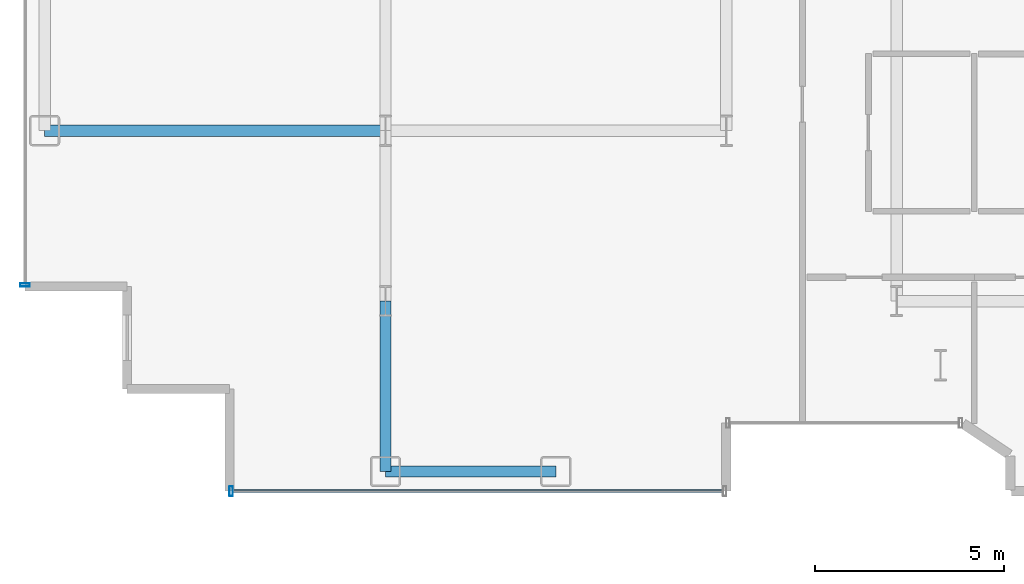
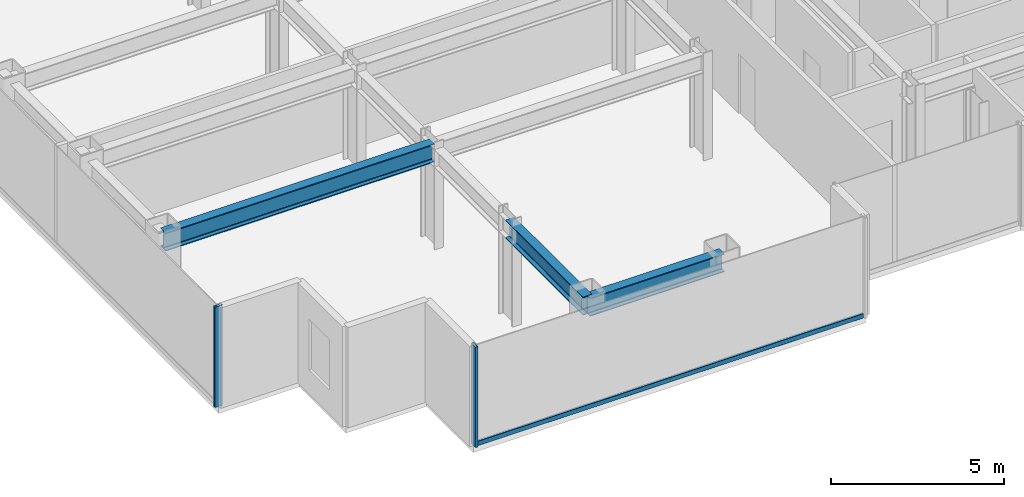
# One storey, part 3 of 23: 3 beams, 3 members, 2 elements without a shape of their own.
"""IFC4 building model written with IfcOpenShell, lengths in metres."""

from ifc_helpers import new_model, si_unit, direction, frame, origin, origin_2d, place, context, subcontext, project, spatial, hollow_rectangle, i_section, extrude, source, transform, mapped, material, layer, layer_set, material_profile, profile_set, type_object, element, aggregate, save


model = new_model("IFC4")

# Units and contexts
model_context = context("Model", 3, precision=1e-05, world=origin(), true_north=direction((0.0, 1.0)))
body_context = subcontext(model_context, "Body", "Model", "MODEL_VIEW")
ifc_project = project(units=[si_unit("LENGTHUNIT", "METRE"), si_unit("AREAUNIT", "SQUARE_METRE"), si_unit("VOLUMEUNIT", "CUBIC_METRE"), si_unit("PLANEANGLEUNIT", "RADIAN"), si_unit("MASSUNIT", "GRAM", prefix="KILO")], contexts=[model_context])

# Site, building, storey
site_placement = place(None, origin())
site = spatial("IfcSite", under=ifc_project, at=site_placement, CompositionType="ELEMENT")
building_placement = place(site_placement, origin())
building = spatial("IfcBuilding", under=site, at=building_placement, Name="Nefas-Gora Pilgrimage Tower", CompositionType="ELEMENT")
storey_placement = place(building_placement, frame((0.0, 0.0, 152.60009765625)))
storey = spatial("IfcBuildingStorey", under=building, at=storey_placement, Name="L37", CompositionType="ELEMENT", Elevation=152.60009765625)

# Beams
ifc_material_1 = material(Name="Steel S355", Category="steel")
ifc_material_profile_1 = material_profile(ifc_material_1, i_section(OverallWidth=0.300048828125, OverallDepth=0.64990234375, WebThickness=0.01611328125, FlangeThickness=0.031005859375, FilletRadius=0.027099609375, at=origin_2d()), Name="HEB 650")
ifc_profile_set_1 = profile_set([ifc_material_profile_1], Name="Steel S355")
beam_type_1 = type_object("IfcBeamType", Name="BM-SPN-HEB500", PredefinedType="SPANDREL", material=ifc_profile_set_1)
shared_shape_1 = source(origin(), body_context, "Body", "SweptSolid", [
    extrude(i_section(OverallWidth=0.300048828125, OverallDepth=0.64990234375, WebThickness=0.01611328125, FlangeThickness=0.031005859375, FilletRadius=0.027099609375, at=origin_2d()), origin(), (0.0, 0.0, 1.0), 4.5),
])
beam_1_placement = place(storey_placement, frame((-24.75, -22.5, 3.224853515625), z_axis=(1.0, 0.0, 0.0), x_axis=(0.0, 1.0, 0.0)))
element("IfcBeam", 1, at=beam_1_placement, inside=storey, type_object=beam_type_1, Name="L37 SP-02 beam", PredefinedType="SPANDREL", context=body_context, shape_type="MappedRepresentation", body=[
    mapped(shared_shape_1, transform((0.0, 0.0, 0.0), x_axis=(1.0, 0.0, 0.0), y_axis=(0.0, 1.0, 0.0), z_axis=(0.0, 0.0, 1.0), scale=1.0)),
])
ifc_material_profile_2 = material_profile(ifc_material_1, i_section(OverallWidth=0.300048828125, OverallDepth=0.64990234375, WebThickness=0.01611328125, FlangeThickness=0.031005859375, FilletRadius=0.027099609375, at=origin_2d()), Name="HEB 650")
ifc_profile_set_2 = profile_set([ifc_material_profile_2], Name="Steel S355")
beam_type_2 = type_object("IfcBeamType", Name="BM-GIR-HEB650", PredefinedType="BEAM", material=ifc_profile_set_2)
shared_shape_2 = source(origin(), body_context, "Body", "SweptSolid", [
    extrude(i_section(OverallWidth=0.300048828125, OverallDepth=0.64990234375, WebThickness=0.01611328125, FlangeThickness=0.031005859375, FilletRadius=0.027099609375, at=origin_2d()), origin(), (0.0, 0.0, 1.0), 9.0),
])
beam_2_placement = place(storey_placement, frame((-33.75, -13.5, 3.224853515625), z_axis=(1.0, 0.0, 0.0), x_axis=(0.0, 1.0, 0.0)))
element("IfcBeam", 2, at=beam_2_placement, inside=storey, type_object=beam_type_2, Name="L37 G-03 beam", PredefinedType="BEAM", context=body_context, shape_type="MappedRepresentation", body=[
    mapped(shared_shape_2, transform((0.0, 0.0, 0.0), x_axis=(1.0, 0.0, 0.0), y_axis=(0.0, 1.0, 0.0), z_axis=(0.0, 0.0, 1.0), scale=1.0)),
])
shared_shape_3 = source(origin(), body_context, "Body", "SweptSolid", [
    extrude(i_section(OverallWidth=0.300048828125, OverallDepth=0.64990234375, WebThickness=0.01611328125, FlangeThickness=0.031005859375, FilletRadius=0.027099609375, at=origin_2d()), origin(), (0.0, 0.0, 1.0), 4.5),
])
beam_3_placement = place(storey_placement, frame((-24.75, -22.5, 3.224853515625), z_axis=(0.0, 1.0, 0.0), x_axis=(-1.0, 0.0, 0.0)))
element("IfcBeam", 3, at=beam_3_placement, inside=storey, type_object=beam_type_2, Name="L37 G-03 beam", PredefinedType="BEAM", context=body_context, shape_type="MappedRepresentation", body=[
    mapped(shared_shape_3, transform((0.0, 0.0, 0.0), x_axis=(1.0, 0.0, 0.0), y_axis=(0.0, 1.0, 0.0), z_axis=(0.0, 0.0, 1.0), scale=1.0)),
])

# Curtain wall, member
ifc_material_2 = material(Name="Dark ceramic-fritted solar-control aluminium-glass curtain wall", Category="aluminium")
ifc_layer = layer(ifc_material_2, 0.219970703125)
ifc_layer_set = layer_set([ifc_layer], Name="Dark ceramic-fritted solar-control aluminium-glass curtain wall")
curtain_wall_type = type_object("IfcCurtainWallType", Name="CW-SYS-3", PredefinedType="NOTDEFINED", material=ifc_layer_set)
curtain_wall_1_placement = place(storey_placement, origin())
curtain_wall_1 = element("IfcCurtainWall", 4, at=curtain_wall_1_placement, inside=storey, type_object=curtain_wall_type, Name="L37 Unitised Curtain Wall CW3", PredefinedType="NOTDEFINED")
ifc_material_3 = material(Name="Anodised architectural aluminium", Category="aluminium")
ifc_material_profile_3 = material_profile(ifc_material_3, hollow_rectangle(XDim=0.080078125, YDim=0.159912109375, WallThickness=0.00439453125, InnerFilletRadius=0.00439453125, OuterFilletRadius=0.009033203125, at=origin_2d()), Name="ALU TRANSOM 80x160")
ifc_profile_set_3 = profile_set([ifc_material_profile_3], Name="Anodised architectural aluminium")
member_type_1 = type_object("IfcMemberType", Name="CWM-TRN-3", PredefinedType="USERDEFINED", material=ifc_profile_set_3)
shared_shape_4 = source(origin(), body_context, "Body", "SweptSolid", [
    extrude(hollow_rectangle(XDim=0.080078125, YDim=0.159912109375, WallThickness=0.00439453125, InnerFilletRadius=0.00439453125, OuterFilletRadius=0.009033203125, at=origin_2d()), origin(), (0.0, 0.0, 1.0), 12.93994140625),
])
member_1_placement = place(storey_placement, frame((-28.780029296875, -23.02001953125, 0.0498046875), z_axis=(1.0, 0.0, 0.0), x_axis=(0.0, 1.0, 0.0)))
member_1 = element("IfcMember", 5, at=member_1_placement, type_object=member_type_1, Name="CW3 Spandrel Transom", ObjectType="TRANSOM", PredefinedType="USERDEFINED", context=body_context, shape_type="MappedRepresentation", body=[
    mapped(shared_shape_4, transform((0.0, 0.0, 0.0), x_axis=(1.0, 0.0, 0.0), y_axis=(0.0, 1.0, 0.0), z_axis=(0.0, 0.0, 1.0), scale=1.0)),
])

curtain_wall_2_placement = place(storey_placement, origin())
curtain_wall_2 = element("IfcCurtainWall", 6, at=curtain_wall_2_placement, inside=storey, type_object=curtain_wall_type, Name="L37 Unitised Curtain Wall CW3", PredefinedType="NOTDEFINED")
ifc_material_profile_4 = material_profile(ifc_material_3, hollow_rectangle(XDim=0.090087890625, YDim=0.260009765625, WallThickness=0.006103515625, InnerFilletRadius=0.006103515625, OuterFilletRadius=0.011962890625, at=origin_2d()), Name="ALU MULLION 90x260")
ifc_profile_set_4 = profile_set([ifc_material_profile_4], Name="Anodised architectural aluminium")
member_type_2 = type_object("IfcMemberType", Name="CWM-MUL-3", PredefinedType="MULLION", material=ifc_profile_set_4)
shared_shape_5 = source(origin(), body_context, "Body", "SweptSolid", [
    extrude(hollow_rectangle(XDim=0.090087890625, YDim=0.260009765625, WallThickness=0.006103515625, InnerFilletRadius=0.006103515625, OuterFilletRadius=0.011962890625, at=origin_2d()), origin(), (0.0, 0.0, 1.0), 3.5498046875),
])
member_2_placement = place(storey_placement, frame((-34.27001953125, -17.574951171875, 0.0), z_axis=(0.0, 0.0, 1.0), x_axis=(0.0, -1.0, 0.0)))
member_2 = element("IfcMember", 7, at=member_2_placement, type_object=member_type_2, Name="CW3 Mullion 2", PredefinedType="MULLION", context=body_context, shape_type="MappedRepresentation", body=[
    mapped(shared_shape_5, transform((0.0, 0.0, 0.0), x_axis=(1.0, 0.0, 0.0), y_axis=(0.0, 1.0, 0.0), z_axis=(0.0, 0.0, 1.0), scale=1.0)),
])
aggregate(curtain_wall_2, [member_2])

# Member
member_3_placement = place(storey_placement, frame((-28.824951171875, -23.02001953125, 0.0), z_axis=(0.0, 0.0, 1.0), x_axis=(1.0, 0.0, 0.0)))
member_3 = element("IfcMember", 8, at=member_3_placement, type_object=member_type_2, Name="CW3 Mullion 1", PredefinedType="MULLION", context=body_context, shape_type="MappedRepresentation", body=[
    mapped(shared_shape_5, transform((0.0, 0.0, 0.0), x_axis=(1.0, 0.0, 0.0), y_axis=(0.0, 1.0, 0.0), z_axis=(0.0, 0.0, 1.0), scale=1.0)),
])

aggregate(curtain_wall_1, [member_3, member_1])

save(model, "model.ifc")
